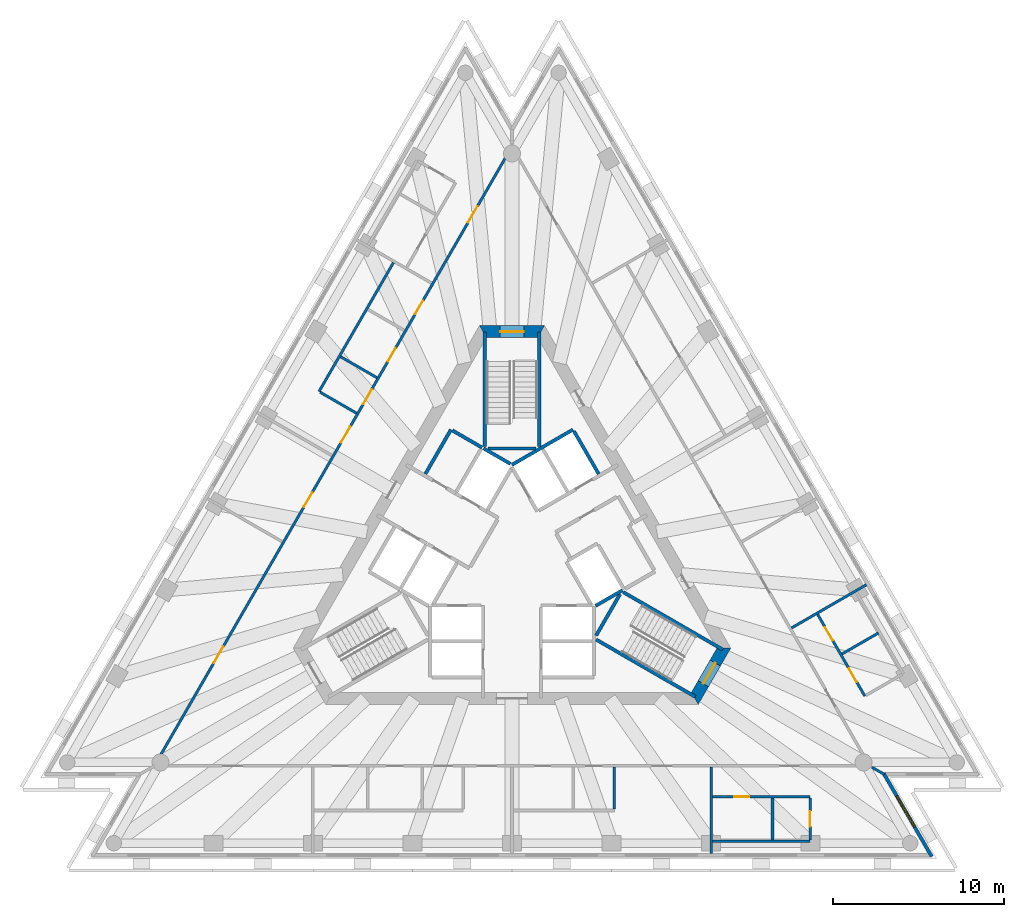
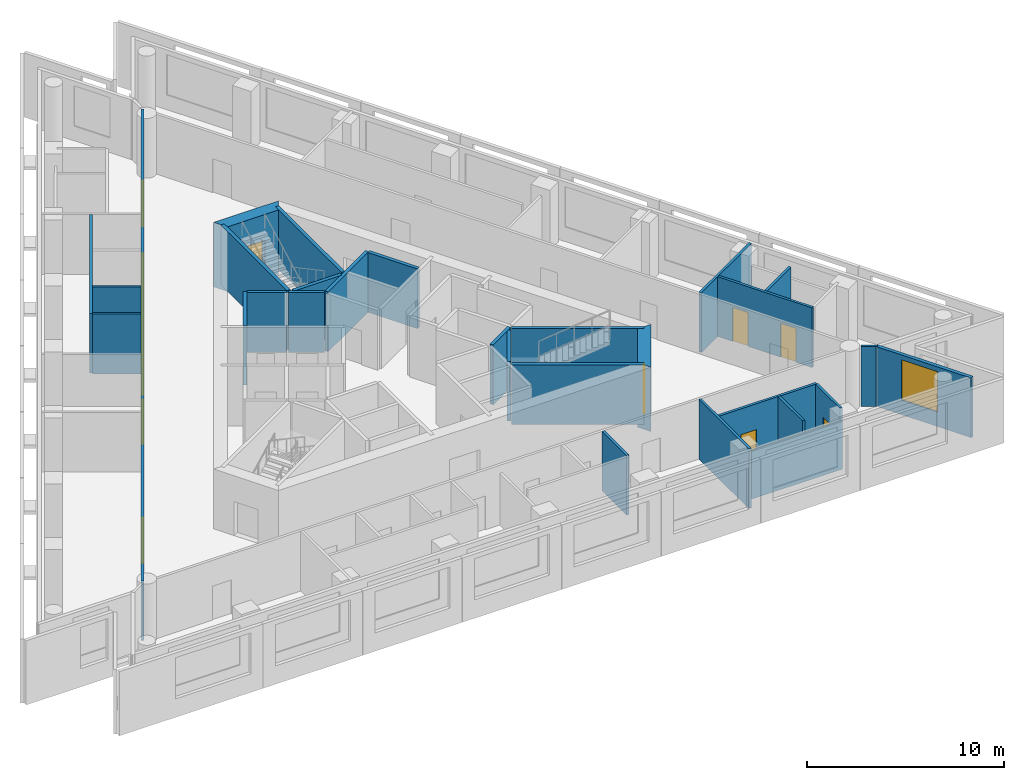
# One storey, part 5 of 10: 29 walls, 13 doors, 1 window, 14 openings.
"""IFC4 building model written with IfcOpenShell, lengths in metres."""

from ifc_helpers import new_model, si_unit, direction, frame, frame_2d, origin, place, context, subcontext, project, spatial, polyline, rectangle, outline, extrude, material, layer, layer_set, layer_usage, type_object, element, fill, save


model = new_model("IFC4")

# Units and contexts
model_context = context("Model", 3, precision=1e-05, world=origin(), true_north=direction((0.0, 1.0)))
body_context = subcontext(model_context, "Body", "Model", "MODEL_VIEW")
ifc_project = project(units=[si_unit("LENGTHUNIT", "METRE"), si_unit("AREAUNIT", "SQUARE_METRE"), si_unit("VOLUMEUNIT", "CUBIC_METRE"), si_unit("PLANEANGLEUNIT", "RADIAN"), si_unit("MASSUNIT", "GRAM", prefix="KILO")], contexts=[model_context])

# Site, building, storey
site_placement = place(None, origin())
site = spatial("IfcSite", under=ifc_project, at=site_placement, CompositionType="ELEMENT")
building_placement = place(site_placement, origin())
building = spatial("IfcBuilding", under=site, at=building_placement, Name="Triada Interchange Tower", CompositionType="ELEMENT")
storey_placement = place(building_placement, frame((0.0, 0.0, 239.300048828125)))
storey = spatial("IfcBuildingStorey", under=building, at=storey_placement, Name="L56", CompositionType="ELEMENT", Elevation=239.300048828125)

# Walls
ifc_material_1 = material(Name="Concrete C30/37", Category="concrete")
ifc_layer_1 = layer(ifc_material_1, 0.199951171875)
ifc_layer_set_1 = layer_set([ifc_layer_1], Name="CORE WALL 200 EI 120")
wall_type_1 = type_object("IfcWallType", Name="CORE WALL 200 EI 120", PredefinedType="SOLIDWALL", material=ifc_layer_set_1)
wall_1_placement = place(storey_placement, frame((-0.001953125, 5.541015625, 0.0), z_axis=(0.0, 0.0, 1.0), x_axis=(0.86600155993, 0.500041296494, 0.0)))
element("IfcWall", 1, at=wall_1_placement, inside=storey, type_object=wall_type_1, Name="Wall L56 51", PredefinedType="SOLIDWALL", context=body_context, shape_type="SweptSolid", body=[
    extrude(rectangle(XDim=4.131591796875, YDim=0.199951171875, at=frame_2d((2.06591796875, 0.0))), origin(), (0.0, 0.0, 1.0), 3.699951171875),
])
wall_2_placement = place(storey_placement, frame((3.6259765625, 7.52001953125, 0.0), z_axis=(0.0, 0.0, 1.0), x_axis=(0.500060147554, -0.865990674793, 0.0)))
element("IfcWall", 2, at=wall_2_placement, inside=storey, type_object=wall_type_1, Name="Wall L56 59", PredefinedType="SOLIDWALL", context=body_context, shape_type="SweptSolid", body=[
    extrude(rectangle(XDim=2.899658203125, YDim=0.199951171875, at=frame_2d((1.44970703125, 0.0))), origin(), (0.0, 0.0, 1.0), 3.699951171875),
])
wall_3_placement = place(storey_placement, frame((4.89990234375, -2.714111328125, 0.0), z_axis=(0.0, 0.0, 1.0), x_axis=(0.865846928409, 0.500309001083, 0.0)))
element("IfcWall", 3, at=wall_3_placement, inside=storey, type_object=wall_type_1, Name="Wall L56 62", PredefinedType="SOLIDWALL", context=body_context, shape_type="SweptSolid", body=[
    extrude(rectangle(XDim=1.813232421875, YDim=0.199951171875, at=frame_2d((0.90673828125, 0.0))), origin(), (0.0, 0.0, 1.0), 3.699951171875),
])
ifc_layer_2 = layer(ifc_material_1, 0.199951171875)
ifc_layer_set_2 = layer_set([ifc_layer_2], Name="CORE WALL 200 EI 180")
wall_type_2 = type_object("IfcWallType", Name="CORE WALL 200 EI 180", PredefinedType="SOLIDWALL", material=ifc_layer_set_2)
wall_4_placement = place(storey_placement, frame((-5.075927734375, 5.009033203125, 0.0), z_axis=(0.0, 0.0, 1.0), x_axis=(0.50002537861, 0.866010750942, 0.0)))
element("IfcWall", 4, at=wall_4_placement, inside=storey, type_object=wall_type_2, Name="Wall L56 70", PredefinedType="SOLIDWALL", context=body_context, shape_type="SweptSolid", body=[
    extrude(rectangle(XDim=2.999755859375, YDim=0.199951171875, at=frame_2d((1.5, 0.0))), origin(), (0.0, 0.0, 1.0), 3.699951171875),
])
wall_5_placement = place(storey_placement, frame((-3.489013671875, 7.556884765625, 0.0), z_axis=(0.0, 0.0, 1.0), x_axis=(0.866010750942, -0.50002537861, 0.0)))
element("IfcWall", 5, at=wall_5_placement, inside=storey, type_object=wall_type_2, Name="Wall L56 71", PredefinedType="SOLIDWALL", context=body_context, shape_type="SweptSolid", body=[
    extrude(rectangle(XDim=2.0, YDim=0.199951171875, at=frame_2d((1.0, 0.0))), origin(), (0.0, 0.0, 1.0), 3.699951171875),
])
wall_6_placement = place(storey_placement, frame((-1.669921875, 6.507080078125, 0.0), z_axis=(0.0, 0.0, 1.0), x_axis=(0.865941441609, -0.500145398563, 0.0)))
element("IfcWall", 6, at=wall_6_placement, inside=storey, type_object=wall_type_2, Name="Shaft wall FF2 L56 79", PredefinedType="SOLIDWALL", context=body_context, shape_type="SweptSolid", body=[
    extrude(rectangle(XDim=1.8154296875, YDim=0.199951171875, at=frame_2d((0.90771484375, 0.0))), origin(), (0.0, 0.0, 1.0), 3.699951171875),
])
ifc_layer_3 = layer(ifc_material_1, 0.199951171875)
ifc_layer_set_3 = layer_set([ifc_layer_3], Name="CORE WALL 200 REI 240")
wall_type_3 = type_object("IfcWallType", Name="CORE WALL 200 REI 240", PredefinedType="SOLIDWALL", material=ifc_layer_set_3)
wall_7_placement = place(storey_placement, frame((1.60009765625, 6.614990234375, 0.0), z_axis=(0.0, 0.0, 1.0), x_axis=(0.0, 1.0, 0.0)))
element("IfcWall", 7, at=wall_7_placement, inside=storey, type_object=wall_type_3, Name="Wall L56 87", PredefinedType="SOLIDWALL", context=body_context, shape_type="SweptSolid", body=[
    extrude(rectangle(XDim=6.715087890625, YDim=0.199951171875, at=frame_2d((3.357421875, 0.0))), origin(), (0.0, 0.0, 1.0), 3.699951171875),
])
wall_8_placement = place(storey_placement, frame((-1.39990234375, 6.5, 0.0), z_axis=(0.0, 0.0, 1.0), x_axis=(1.0, 0.0, 0.0)))
element("IfcWall", 8, at=wall_8_placement, inside=storey, type_object=wall_type_3, Name="Wall L56 88", PredefinedType="SOLIDWALL", context=body_context, shape_type="SweptSolid", body=[
    extrude(rectangle(XDim=2.7998046875, YDim=0.199951171875, at=frame_2d((1.39990234375, 0.0))), origin(), (0.0, 0.0, 1.0), 3.699951171875),
])
wall_9_placement = place(storey_placement, frame((-1.60009765625, 6.614990234375, 0.0), z_axis=(0.0, 0.0, 1.0), x_axis=(0.0, 1.0, 0.0)))
element("IfcWall", 9, at=wall_9_placement, inside=storey, type_object=wall_type_3, Name="Wall L56 89", PredefinedType="SOLIDWALL", context=body_context, shape_type="SweptSolid", body=[
    extrude(rectangle(XDim=6.715087890625, YDim=0.199951171875, at=frame_2d((3.357421875, 0.0))), origin(), (0.0, 0.0, 1.0), 3.699951171875),
])
wall_10_placement = place(storey_placement, frame((4.928955078125, -4.693115234375, 0.0), z_axis=(0.0, 0.0, 1.0), x_axis=(0.865983344943, -0.500072840975, 0.0)))
element("IfcWall", 10, at=wall_10_placement, inside=storey, type_object=wall_type_3, Name="Wall L56 90", PredefinedType="SOLIDWALL", context=body_context, shape_type="SweptSolid", body=[
    extrude(rectangle(XDim=6.71484375, YDim=0.199951171875, at=frame_2d((3.357421875, 0.0))), origin(), (0.0, 0.0, 1.0), 3.699951171875),
])
wall_11_placement = place(storey_placement, frame((4.928955078125, -4.4619140625, 0.0), z_axis=(0.0, 0.0, 1.0), x_axis=(0.500200581029, 0.865909567298, 0.0)))
element("IfcWall", 11, at=wall_11_placement, inside=storey, type_object=wall_type_3, Name="Wall L56 91", PredefinedType="SOLIDWALL", context=body_context, shape_type="SweptSolid", body=[
    extrude(rectangle(XDim=2.799072265625, YDim=0.199951171875, at=frame_2d((1.3994140625, 0.0))), origin(), (0.0, 0.0, 1.0), 3.699951171875),
])
wall_12_placement = place(storey_placement, frame((6.529052734375, -1.922119140625, 0.0), z_axis=(0.0, 0.0, 1.0), x_axis=(0.866046323291, -0.499963764601, 0.0)))
element("IfcWall", 12, at=wall_12_placement, inside=storey, type_object=wall_type_3, Name="Wall L56 92", PredefinedType="SOLIDWALL", context=body_context, shape_type="SweptSolid", body=[
    extrude(rectangle(XDim=6.71435546875, YDim=0.199951171875, at=frame_2d((3.357177734375, 0.0))), origin(), (0.0, 0.0, 1.0), 3.699951171875),
])

# Wall, opening, door
ifc_material_2 = material(Name="Concrete C50/60", Category="concrete")
ifc_layer_4 = layer(ifc_material_2, 0.699951171875)
ifc_layer_set_4 = layer_set([ifc_layer_4], Name="Core wall C 700")
wall_type_4 = type_object("IfcWallType", Name="Core wall C 700", PredefinedType="SHEAR", material=ifc_layer_set_4)
wall_13_placement = place(storey_placement, frame((1.702880859375, 13.35009765625, -0.300048828125), z_axis=(0.0, 0.0, 1.0), x_axis=(-1.0, 0.0, 0.0)))
wall_13 = element("IfcWall", 13, at=wall_13_placement, inside=storey, type_object=wall_type_4, Name="Core wall WC01 L56", PredefinedType="SHEAR", context=body_context, shape_type="SweptSolid", body=[
    extrude(outline(polyline([(-0.201904296875, -0.35009765625), (1.703125, -0.35009765625), (3.60791015625, -0.35009765625), (3.2041015625, 0.35009765625), (1.703125, 0.35009765625), (0.201904296875, 0.35009765625), (-0.201904296875, -0.35009765625)])), origin(), (0.0, 0.0, 1.0), 4.0),
])
opening_1_placement = place(wall_13_placement, frame((1.0029296875, 0.0, 0.300048828125)))
opening_1 = element("IfcOpeningElement", 14, at=opening_1_placement, cuts=wall_13, Name="Opening D56-40", PredefinedType="OPENING", context=body_context, shape_type="SweptSolid", body=[
    extrude(rectangle(XDim=1.39990234375, YDim=2.10009765625, at=frame_2d((0.699951171875, 1.050048828125))), frame((0.0, 0.360107421875, 0.0), z_axis=(0.0, -1.0, 0.0), x_axis=(1.0, 0.0, 0.0)), (0.0, 0.0, 1.0), 0.72021484375),
])
ifc_material_3 = material(Name="Steel S235 door leaf", Category="steel")
door_type_1 = type_object("IfcDoorType", Name="STAIR DOOR 1400 EI2 90-C5S200", OperationType="DOUBLE_DOOR_SINGLE_SWING", PredefinedType="DOOR", material=ifc_material_3)
door_1_placement = place(opening_1_placement, origin())
door_1 = element("IfcDoor", 15, at=door_1_placement, inside=storey, type_object=door_type_1, Name="Door D56-40 L56", OperationType="DOUBLE_DOOR_SINGLE_SWING", OverallHeight=2.10009765625, OverallWidth=1.39990234375, PredefinedType="DOOR", context=body_context, shape_type="SweptSolid", body=[
    extrude(rectangle(XDim=1.39990234375, YDim=2.10009765625, at=frame_2d((0.699951171875, 1.050048828125))), frame((0.0, 0.02490234375, 0.0), z_axis=(0.0, -1.0, 0.0), x_axis=(1.0, 0.0, 0.0)), (0.0, 0.0, 1.0), 0.050048828125),
])
fill(opening_1, door_1)

wall_14_placement = place(storey_placement, frame((10.7099609375, -8.14990234375, -0.300048828125), z_axis=(0.0, 0.0, 1.0), x_axis=(0.49999337185, 0.866029230515, 0.0)))
wall_14 = element("IfcWall", 16, at=wall_14_placement, inside=storey, type_object=wall_type_4, Name="Core wall WC05 L56", PredefinedType="SHEAR", context=body_context, shape_type="SweptSolid", body=[
    extrude(outline(polyline([(-0.201904296875, -0.35009765625), (1.703125, -0.35009765625), (3.60791015625, -0.35009765625), (3.2041015625, 0.35009765625), (1.703125, 0.35009765625), (0.201904296875, 0.35009765625), (-0.201904296875, -0.35009765625)])), origin(), (0.0, 0.0, 1.0), 4.0),
])
opening_2_placement = place(wall_14_placement, frame((1.0029296875, 0.0, 0.300048828125)))
opening_2 = element("IfcOpeningElement", 17, at=opening_2_placement, cuts=wall_14, Name="Opening D56-42", PredefinedType="OPENING", context=body_context, shape_type="SweptSolid", body=[
    extrude(rectangle(XDim=1.39990234375, YDim=2.10009765625, at=frame_2d((0.699951171875, 1.050048828125))), frame((0.0, 0.360107421875, 0.0), z_axis=(0.0, -1.0, 0.0), x_axis=(1.0, 0.0, 0.0)), (0.0, 0.0, 1.0), 0.72021484375),
])
door_2_placement = place(opening_2_placement, origin())
door_2 = element("IfcDoor", 18, at=door_2_placement, inside=storey, type_object=door_type_1, Name="Door D56-42 L56", OperationType="DOUBLE_DOOR_SINGLE_SWING", OverallHeight=2.10009765625, OverallWidth=1.39990234375, PredefinedType="DOOR", context=body_context, shape_type="SweptSolid", body=[
    extrude(rectangle(XDim=1.39990234375, YDim=2.10009765625, at=frame_2d((0.699951171875, 1.050048828125))), frame((0.0, 0.02490234375, 0.0), z_axis=(0.0, -1.0, 0.0), x_axis=(1.0, 0.0, 0.0)), (0.0, 0.0, 1.0), 0.050048828125),
])
fill(opening_2, door_2)

# Wall, opening, window
ifc_material_4 = material(Name="Cement board")
ifc_layer_5 = layer(ifc_material_4, 0.02001953125, Name="Cement board cladding")
ifc_material_5 = material(Name="Sheathing board")
ifc_layer_6 = layer(ifc_material_5, 0.014892578125, Name="Sheathing board")
ifc_material_6 = material(Name="Mineral wool")
ifc_layer_7 = layer(ifc_material_6, 0.14990234375, Name="Mineral wool between steel studs")
ifc_material_7 = material(Name="Gypsum board")
ifc_layer_8 = layer(ifc_material_7, 0.014892578125, Name="Plasterboard lining")
ifc_layer_set_5 = layer_set([ifc_layer_5, ifc_layer_6, ifc_layer_7, ifc_layer_8], Name="External wall 200")
ifc_layer_usage = layer_usage(ifc_layer_set_5, "AXIS2", "POSITIVE", -0.10009765625)
wall_type_5 = type_object("IfcWallType", Name="External wall 200", PredefinedType="ELEMENTEDWALL", material=ifc_layer_set_5)
wall_15_placement = place(storey_placement, frame((24.587890625, -17.402099609375, 0.0), z_axis=(0.0, 0.0, 1.0), x_axis=(-0.500033107516, 0.866006288307, 0.0)))
wall_15 = element("IfcWall", 19, at=wall_15_placement, inside=storey, type_object=wall_type_5, material=ifc_layer_usage, Name="External wall L56 SE-1", PredefinedType="ELEMENTEDWALL", context=body_context, shape_type="SweptSolid", body=[
    extrude(rectangle(XDim=5.62353515625, YDim=0.199951171875, at=frame_2d((2.811767578125, 0.0))), origin(), (0.0, 0.0, 1.0), 3.699951171875),
])
opening_3_placement = place(wall_15_placement, frame((1.989990234375, 0.0, 0.89990234375)))
opening_3 = element("IfcOpeningElement", 20, at=opening_3_placement, cuts=wall_15, Name="Opening WC19", PredefinedType="OPENING", context=body_context, shape_type="SweptSolid", body=[
    extrude(rectangle(XDim=2.10009765625, YDim=2.5, at=frame_2d((1.050048828125, 1.25))), frame((0.0, 0.10986328125, 0.0), z_axis=(0.0, -1.0, 0.0), x_axis=(1.0, 0.0, 0.0)), (0.0, 0.0, 1.0), 0.219970703125),
])
ifc_material_8 = material(Name="Double glazed aluminium window", Category="aluminium")
window_type = type_object("IfcWindowType", Name="Ribbon window C pocket", PartitioningType="SINGLE_PANEL", PredefinedType="WINDOW", material=ifc_material_8)
window_placement = place(opening_3_placement, origin())
window = element("IfcWindow", 21, at=window_placement, inside=storey, type_object=window_type, Name="Window L56 SE-1 1", OverallHeight=2.5, OverallWidth=2.10009765625, PartitioningType="SINGLE_PANEL", PredefinedType="WINDOW", context=body_context, shape_type="SweptSolid", body=[
    extrude(rectangle(XDim=2.10009765625, YDim=2.5, at=frame_2d((1.050048828125, 1.25))), frame((0.0, 0.030029296875, 0.0), z_axis=(0.0, -1.0, 0.0), x_axis=(1.0, 0.0, 0.0)), (0.0, 0.0, 1.0), 0.06005859375),
])
fill(opening_3, window)

# Wall, openings, doors
ifc_material_9 = material(Name="Gypsum board partition")
ifc_layer_9 = layer(ifc_material_9, 0.14990234375)
ifc_layer_set_6 = layer_set([ifc_layer_9], Name="PARTITION 150 EI 180")
wall_type_6 = type_object("IfcWallType", Name="PARTITION 150 EI 180", PredefinedType="PARTITIONING", material=ifc_layer_set_6)
wall_16_placement = place(storey_placement, frame((-20.883056640625, -11.969970703125, 0.0), z_axis=(0.0, 0.0, 1.0), x_axis=(0.500006150555, 0.866021852731, 0.0)))
wall_16 = element("IfcWall", 22, at=wall_16_placement, inside=storey, type_object=wall_type_6, Name="Wall L56 4", PredefinedType="PARTITIONING", context=body_context, shape_type="SweptSolid", body=[
    extrude(rectangle(XDim=41.765625, YDim=0.14990234375, at=frame_2d((20.8828125, 0.0))), origin(), (0.0, 0.0, 1.0), 3.699951171875),
])
opening_4_placement = place(wall_16_placement, frame((36.615966796875, 0.0, 0.0)))
opening_4 = element("IfcOpeningElement", 23, at=opening_4_placement, cuts=wall_16, Name="Opening D56-30", PredefinedType="OPENING", context=body_context, shape_type="SweptSolid", body=[
    extrude(rectangle(XDim=1.10009765625, YDim=2.10009765625, at=frame_2d((0.550048828125, 1.050048828125))), frame((0.0, 0.0849609375, 0.0), z_axis=(0.0, -1.0, 0.0), x_axis=(1.0, 0.0, 0.0)), (0.0, 0.0, 1.0), 0.169921875),
])
opening_5_placement = place(wall_16_placement, frame((21.722900390625, 0.0, 0.0)))
opening_5 = element("IfcOpeningElement", 24, at=opening_5_placement, cuts=wall_16, Name="Opening D56-33", PredefinedType="OPENING", context=body_context, shape_type="SweptSolid", body=[
    extrude(rectangle(XDim=1.10009765625, YDim=2.10009765625, at=frame_2d((0.550048828125, 1.050048828125))), frame((0.0, 0.0849609375, 0.0), z_axis=(0.0, -1.0, 0.0), x_axis=(1.0, 0.0, 0.0)), (0.0, 0.0, 1.0), 0.169921875),
])
opening_6_placement = place(wall_16_placement, frame((30.423095703125, 0.0, 0.0)))
opening_6 = element("IfcOpeningElement", 25, at=opening_6_placement, cuts=wall_16, Name="Opening D56-34", PredefinedType="OPENING", context=body_context, shape_type="SweptSolid", body=[
    extrude(rectangle(XDim=0.89990234375, YDim=2.10009765625, at=frame_2d((0.449951171875, 1.050048828125))), frame((0.0, 0.0849609375, 0.0), z_axis=(0.0, -1.0, 0.0), x_axis=(1.0, 0.0, 0.0)), (0.0, 0.0, 1.0), 0.169921875),
])
opening_7_placement = place(wall_16_placement, frame((27.222900390625, 0.0, 0.0)))
opening_7 = element("IfcOpeningElement", 26, at=opening_7_placement, cuts=wall_16, Name="Opening D56-35", PredefinedType="OPENING", context=body_context, shape_type="SweptSolid", body=[
    extrude(rectangle(XDim=0.89990234375, YDim=2.10009765625, at=frame_2d((0.449951171875, 1.050048828125))), frame((0.0, 0.0849609375, 0.0), z_axis=(0.0, -1.0, 0.0), x_axis=(1.0, 0.0, 0.0)), (0.0, 0.0, 1.0), 0.169921875),
])
opening_8_placement = place(wall_16_placement, frame((24.322998046875, 0.0, 0.0)))
opening_8 = element("IfcOpeningElement", 27, at=opening_8_placement, cuts=wall_16, Name="Opening D56-36", PredefinedType="OPENING", context=body_context, shape_type="SweptSolid", body=[
    extrude(rectangle(XDim=1.0, YDim=2.10009765625, at=frame_2d((0.5, 1.050048828125))), frame((0.0, 0.0849609375, 0.0), z_axis=(0.0, -1.0, 0.0), x_axis=(1.0, 0.0, 0.0)), (0.0, 0.0, 1.0), 0.169921875),
])
opening_9_placement = place(wall_16_placement, frame((17.35791015625, 0.0, 0.0)))
opening_9 = element("IfcOpeningElement", 28, at=opening_9_placement, cuts=wall_16, Name="Opening D56-37", PredefinedType="OPENING", context=body_context, shape_type="SweptSolid", body=[
    extrude(rectangle(XDim=1.0, YDim=2.10009765625, at=frame_2d((0.5, 1.050048828125))), frame((0.0, 0.0849609375, 0.0), z_axis=(0.0, -1.0, 0.0), x_axis=(1.0, 0.0, 0.0)), (0.0, 0.0, 1.0), 0.169921875),
])
opening_10_placement = place(wall_16_placement, frame((6.824951171875, 0.0, 0.0)))
opening_10 = element("IfcOpeningElement", 29, at=opening_10_placement, cuts=wall_16, Name="Opening D56-38", PredefinedType="OPENING", context=body_context, shape_type="SweptSolid", body=[
    extrude(rectangle(XDim=1.10009765625, YDim=2.10009765625, at=frame_2d((0.550048828125, 1.050048828125))), frame((0.0, 0.0849609375, 0.0), z_axis=(0.0, -1.0, 0.0), x_axis=(1.0, 0.0, 0.0)), (0.0, 0.0, 1.0), 0.169921875),
])
door_type_2 = type_object("IfcDoorType", Name="ROOM DOOR 1000 EI2 90-C5S200", OperationType="NOTDEFINED", PredefinedType="DOOR", material=ifc_material_3)
door_3_placement = place(opening_8_placement, origin())
door_3 = element("IfcDoor", 30, at=door_3_placement, inside=storey, type_object=door_type_2, Name="Door D56-36 L56", OperationType="SINGLE_SWING_RIGHT", OverallHeight=2.10009765625, OverallWidth=1.0, PredefinedType="DOOR", context=body_context, shape_type="SweptSolid", body=[
    extrude(rectangle(XDim=1.0, YDim=2.10009765625, at=frame_2d((0.5, 1.050048828125))), frame((0.0, 0.02490234375, 0.0), z_axis=(0.0, -1.0, 0.0), x_axis=(1.0, 0.0, 0.0)), (0.0, 0.0, 1.0), 0.050048828125),
])
fill(opening_8, door_3)
door_4_placement = place(opening_9_placement, origin())
door_4 = element("IfcDoor", 31, at=door_4_placement, inside=storey, type_object=door_type_2, Name="Door D56-37 L56", OperationType="SINGLE_SWING_RIGHT", OverallHeight=2.10009765625, OverallWidth=1.0, PredefinedType="DOOR", context=body_context, shape_type="SweptSolid", body=[
    extrude(rectangle(XDim=1.0, YDim=2.10009765625, at=frame_2d((0.5, 1.050048828125))), frame((0.0, 0.02490234375, 0.0), z_axis=(0.0, -1.0, 0.0), x_axis=(1.0, 0.0, 0.0)), (0.0, 0.0, 1.0), 0.050048828125),
])
fill(opening_9, door_4)
door_type_3 = type_object("IfcDoorType", Name="ROOM DOOR 900 EI2 90-C5S200", OperationType="NOTDEFINED", PredefinedType="DOOR", material=ifc_material_3)
door_5_placement = place(opening_6_placement, origin())
door_5 = element("IfcDoor", 32, at=door_5_placement, inside=storey, type_object=door_type_3, Name="Door D56-34 L56", OperationType="SINGLE_SWING_LEFT", OverallHeight=2.10009765625, OverallWidth=0.89990234375, PredefinedType="DOOR", context=body_context, shape_type="SweptSolid", body=[
    extrude(rectangle(XDim=0.89990234375, YDim=2.10009765625, at=frame_2d((0.449951171875, 1.050048828125))), frame((0.0, 0.02490234375, 0.0), z_axis=(0.0, -1.0, 0.0), x_axis=(1.0, 0.0, 0.0)), (0.0, 0.0, 1.0), 0.050048828125),
])
fill(opening_6, door_5)
door_6_placement = place(opening_7_placement, origin())
door_6 = element("IfcDoor", 33, at=door_6_placement, inside=storey, type_object=door_type_3, Name="Door D56-35 L56", OperationType="SINGLE_SWING_LEFT", OverallHeight=2.10009765625, OverallWidth=0.89990234375, PredefinedType="DOOR", context=body_context, shape_type="SweptSolid", body=[
    extrude(rectangle(XDim=0.89990234375, YDim=2.10009765625, at=frame_2d((0.449951171875, 1.050048828125))), frame((0.0, 0.02490234375, 0.0), z_axis=(0.0, -1.0, 0.0), x_axis=(1.0, 0.0, 0.0)), (0.0, 0.0, 1.0), 0.050048828125),
])
fill(opening_7, door_6)
door_type_4 = type_object("IfcDoorType", Name="TENANCY ENTRANCE DOOR 1100 EI2 90-C5S200", OperationType="NOTDEFINED", PredefinedType="DOOR", material=ifc_material_3)
door_7_placement = place(opening_4_placement, origin())
door_7 = element("IfcDoor", 34, at=door_7_placement, inside=storey, type_object=door_type_4, Name="Door D56-30 L56", OperationType="SINGLE_SWING_RIGHT", OverallHeight=2.10009765625, OverallWidth=1.10009765625, PredefinedType="DOOR", context=body_context, shape_type="SweptSolid", body=[
    extrude(rectangle(XDim=1.10009765625, YDim=2.10009765625, at=frame_2d((0.550048828125, 1.050048828125))), frame((0.0, 0.02490234375, 0.0), z_axis=(0.0, -1.0, 0.0), x_axis=(1.0, 0.0, 0.0)), (0.0, 0.0, 1.0), 0.050048828125),
])
fill(opening_4, door_7)
door_8_placement = place(opening_5_placement, origin())
door_8 = element("IfcDoor", 35, at=door_8_placement, inside=storey, type_object=door_type_4, Name="Door D56-33 L56", OperationType="SINGLE_SWING_LEFT", OverallHeight=2.10009765625, OverallWidth=1.10009765625, PredefinedType="DOOR", context=body_context, shape_type="SweptSolid", body=[
    extrude(rectangle(XDim=1.10009765625, YDim=2.10009765625, at=frame_2d((0.550048828125, 1.050048828125))), frame((0.0, 0.02490234375, 0.0), z_axis=(0.0, -1.0, 0.0), x_axis=(1.0, 0.0, 0.0)), (0.0, 0.0, 1.0), 0.050048828125),
])
fill(opening_5, door_8)
door_9_placement = place(opening_10_placement, origin())
door_9 = element("IfcDoor", 36, at=door_9_placement, inside=storey, type_object=door_type_4, Name="Door D56-38 L56", OperationType="SINGLE_SWING_LEFT", OverallHeight=2.10009765625, OverallWidth=1.10009765625, PredefinedType="DOOR", context=body_context, shape_type="SweptSolid", body=[
    extrude(rectangle(XDim=1.10009765625, YDim=2.10009765625, at=frame_2d((0.550048828125, 1.050048828125))), frame((0.0, 0.02490234375, 0.0), z_axis=(0.0, -1.0, 0.0), x_axis=(1.0, 0.0, 0.0)), (0.0, 0.0, 1.0), 0.050048828125),
])
fill(opening_10, door_9)

# Walls
wall_17_placement = place(storey_placement, frame((21.0869140625, -12.175048828125, 0.0), z_axis=(0.0, 0.0, 1.0), x_axis=(0.866078617559, -0.49990781971, 0.0)))
element("IfcWall", 37, at=wall_17_placement, inside=storey, type_object=wall_type_6, Name="Wall L56 7", PredefinedType="PARTITIONING", context=body_context, shape_type="SweptSolid", body=[
    extrude(rectangle(XDim=0.836181640625, YDim=0.14990234375, at=frame_2d((0.41796875, 0.0))), origin(), (0.0, 0.0, 1.0), 3.699951171875),
])
wall_18_placement = place(storey_placement, frame((-11.30810546875, 9.8369140625, 0.0), z_axis=(0.0, 0.0, 1.0), x_axis=(0.499958218515, 0.866049524992, 0.0)))
element("IfcWall", 38, at=wall_18_placement, inside=storey, type_object=wall_type_6, Name="Wall L56 11", PredefinedType="PARTITIONING", context=body_context, shape_type="SweptSolid", body=[
    extrude(rectangle(XDim=8.724853515625, YDim=0.14990234375, at=frame_2d((4.3623046875, 0.0))), origin(), (0.0, 0.0, 1.0), 3.699951171875),
])
for number, where, z_axis, x_axis, name in (
    (39, (-11.243896484375, 9.800048828125, 0.0), (0.0, 0.0, 1.0), (0.866099746043, -0.499871213318, 0.0), "Wall L56 12"),
    (40, (-10.0439453125, 11.8779296875, 0.0), (0.0, 0.0, 1.0), (0.86612451545, -0.499828294254, 0.0), "Wall L56 13"),
):
    element("IfcWall", number, at=place(storey_placement, frame(where, z_axis=z_axis, x_axis=x_axis)), inside=storey, type_object=wall_type_6, Name=name, PredefinedType="PARTITIONING", context=body_context, shape_type="SweptSolid", body=[
        extrude(rectangle(XDim=2.462646484375, YDim=0.14990234375, at=frame_2d((1.2314453125, 0.0))), origin(), (0.0, 0.0, 1.0), 3.699951171875),
    ])
wall_19_placement = place(storey_placement, frame((6.0, -14.636962890625, 0.0), z_axis=(0.0, 0.0, 1.0), x_axis=(0.0, 1.0, 0.0)))
element("IfcWall", 41, at=wall_19_placement, inside=storey, type_object=wall_type_6, Name="Wall L56 22", PredefinedType="PARTITIONING", context=body_context, shape_type="SweptSolid", body=[
    extrude(rectangle(XDim=2.4619140625, YDim=0.14990234375, at=frame_2d((1.23095703125, 0.0))), origin(), (0.0, 0.0, 1.0), 3.699951171875),
])
wall_20_placement = place(storey_placement, frame((11.6650390625, -17.243896484375, 0.0), z_axis=(0.0, 0.0, 1.0), x_axis=(0.0, 1.0, 0.0)))
element("IfcWall", 42, at=wall_20_placement, inside=storey, type_object=wall_type_6, Name="Wall L56 25", PredefinedType="PARTITIONING", context=body_context, shape_type="SweptSolid", body=[
    extrude(rectangle(XDim=5.06884765625, YDim=0.14990234375, at=frame_2d((2.534423828125, 0.0))), origin(), (0.0, 0.0, 1.0), 3.699951171875),
])
wall_21_placement = place(storey_placement, frame((16.376953125, -4.01611328125, 0.0), z_axis=(0.0, 0.0, 1.0), x_axis=(0.86598187042, 0.500075394419, 0.0)))
element("IfcWall", 43, at=wall_21_placement, inside=storey, type_object=wall_type_6, Name="Wall L56 27", PredefinedType="PARTITIONING", context=body_context, shape_type="SweptSolid", body=[
    extrude(rectangle(XDim=5.069580078125, YDim=0.14990234375, at=frame_2d((2.53466796875, 0.0))), origin(), (0.0, 0.0, 1.0), 3.699951171875),
])
ifc_layer_10 = layer(ifc_material_9, 0.14990234375)
ifc_layer_set_7 = layer_set([ifc_layer_10], Name="PARTITION 150 EI 90")
wall_type_7 = type_object("IfcWallType", Name="PARTITION 150 EI 90", PredefinedType="PARTITIONING", material=ifc_layer_set_7)
wall_22_placement = place(storey_placement, frame((11.739990234375, -16.511962890625, 0.0), z_axis=(0.0, 0.0, 1.0), x_axis=(1.0, 0.0, 0.0)))
element("IfcWall", 44, at=wall_22_placement, inside=storey, type_object=wall_type_7, Name="Wall L56 33", PredefinedType="PARTITIONING", context=body_context, shape_type="SweptSolid", body=[
    extrude(rectangle(XDim=5.72509765625, YDim=0.14990234375, at=frame_2d((2.862548828125, 0.0))), origin(), (0.0, 0.0, 1.0), 2.949951171875),
])

# Wall, opening, door
wall_23_placement = place(storey_placement, frame((11.739990234375, -13.89990234375, 0.0), z_axis=(0.0, 0.0, 1.0), x_axis=(1.0, 0.0, 0.0)))
wall_23 = element("IfcWall", 45, at=wall_23_placement, inside=storey, type_object=wall_type_7, Name="Wall L56 34", PredefinedType="PARTITIONING", context=body_context, shape_type="SweptSolid", body=[
    extrude(rectangle(XDim=5.72509765625, YDim=0.14990234375, at=frame_2d((2.862548828125, 0.0))), origin(), (0.0, 0.0, 1.0), 3.699951171875),
])
opening_11_placement = place(wall_23_placement, frame((1.27490234375, 0.0, 0.0)))
opening_11 = element("IfcOpeningElement", 46, at=opening_11_placement, cuts=wall_23, Name="Opening D56-20", PredefinedType="OPENING", context=body_context, shape_type="SweptSolid", body=[
    extrude(rectangle(XDim=0.89990234375, YDim=2.10009765625, at=frame_2d((0.449951171875, 1.050048828125))), frame((0.0, 0.0849609375, 0.0), z_axis=(0.0, -1.0, 0.0), x_axis=(1.0, 0.0, 0.0)), (0.0, 0.0, 1.0), 0.169921875),
])
door_type_5 = type_object("IfcDoorType", Name="ROOM DOOR 900 EI2 45-C5S200", OperationType="NOTDEFINED", PredefinedType="DOOR", material=ifc_material_3)
door_10_placement = place(opening_11_placement, origin())
door_10 = element("IfcDoor", 47, at=door_10_placement, inside=storey, type_object=door_type_5, Name="Door D56-20 L56", OperationType="SINGLE_SWING_RIGHT", OverallHeight=2.10009765625, OverallWidth=0.89990234375, PredefinedType="DOOR", context=body_context, shape_type="SweptSolid", body=[
    extrude(rectangle(XDim=0.89990234375, YDim=2.10009765625, at=frame_2d((0.449951171875, 1.050048828125))), frame((0.0, 0.02490234375, 0.0), z_axis=(0.0, -1.0, 0.0), x_axis=(1.0, 0.0, 0.0)), (0.0, 0.0, 1.0), 0.050048828125),
])
fill(opening_11, door_10)

wall_24_placement = place(storey_placement, frame((17.465087890625, -16.43701171875, 0.0), z_axis=(0.0, 0.0, 1.0), x_axis=(0.0, 1.0, 0.0)))
wall_24 = element("IfcWall", 48, at=wall_24_placement, inside=storey, type_object=wall_type_7, Name="Wall L56 35", PredefinedType="PARTITIONING", context=body_context, shape_type="SweptSolid", body=[
    extrude(rectangle(XDim=2.4619140625, YDim=0.14990234375, at=frame_2d((1.23095703125, 0.0))), origin(), (0.0, 0.0, 1.0), 3.699951171875),
])
opening_12_placement = place(wall_24_placement, frame((0.787109375, 0.0, 0.0)))
opening_12 = element("IfcOpeningElement", 49, at=opening_12_placement, cuts=wall_24, Name="Opening D56-21", PredefinedType="OPENING", context=body_context, shape_type="SweptSolid", body=[
    extrude(rectangle(XDim=0.89990234375, YDim=2.10009765625, at=frame_2d((0.449951171875, 1.050048828125))), frame((0.0, 0.0849609375, 0.0), z_axis=(0.0, -1.0, 0.0), x_axis=(1.0, 0.0, 0.0)), (0.0, 0.0, 1.0), 0.169921875),
])
door_type_6 = type_object("IfcDoorType", Name="SERVICE DOOR 900 EI2 45-C5S200", OperationType="NOTDEFINED", PredefinedType="DOOR", material=ifc_material_3)
door_11_placement = place(opening_12_placement, origin())
door_11 = element("IfcDoor", 50, at=door_11_placement, inside=storey, type_object=door_type_6, Name="Door D56-21 L56", OperationType="SINGLE_SWING_LEFT", OverallHeight=2.10009765625, OverallWidth=0.89990234375, PredefinedType="DOOR", context=body_context, shape_type="SweptSolid", body=[
    extrude(rectangle(XDim=0.89990234375, YDim=2.10009765625, at=frame_2d((0.449951171875, 1.050048828125))), frame((0.0, 0.02490234375, 0.0), z_axis=(0.0, -1.0, 0.0), x_axis=(1.0, 0.0, 0.0)), (0.0, 0.0, 1.0), 0.050048828125),
])
fill(opening_12, door_11)

# Walls
for number, where, z_axis, x_axis, name in (
    (51, (15.264892578125, -16.43701171875, 0.0), (0.0, 0.0, 1.0), (0.0, 1.0, 0.0), "Wall L56 36"),
    (52, (19.3359375, -5.5400390625, 0.0), (0.0, 0.0, 1.0), (0.866025399526, 0.500000007376, 0.0), "Wall L56 37"),
):
    element("IfcWall", number, at=place(storey_placement, frame(where, z_axis=z_axis, x_axis=x_axis)), inside=storey, type_object=wall_type_7, Name=name, PredefinedType="PARTITIONING", context=body_context, shape_type="SweptSolid", body=[
        extrude(rectangle(XDim=2.4619140625, YDim=0.14990234375, at=frame_2d((1.23095703125, 0.0))), origin(), (0.0, 0.0, 1.0), 3.699951171875),
    ])

# Wall, openings, doors
wall_25_placement = place(storey_placement, frame((17.907958984375, -3.218017578125, 0.0), z_axis=(0.0, 0.0, 1.0), x_axis=(0.500050108258, -0.865996471835, 0.0)))
wall_25 = element("IfcWall", 53, at=wall_25_placement, inside=storey, type_object=wall_type_7, Name="Wall L56 39", PredefinedType="PARTITIONING", context=body_context, shape_type="SweptSolid", body=[
    extrude(rectangle(XDim=5.525390625, YDim=0.14990234375, at=frame_2d((2.7626953125, 0.0))), origin(), (0.0, 0.0, 1.0), 3.699951171875),
])
opening_13_placement = place(wall_25_placement, frame((0.875, 0.0, 0.0)))
opening_13 = element("IfcOpeningElement", 54, at=opening_13_placement, cuts=wall_25, Name="Opening D56-23", PredefinedType="OPENING", context=body_context, shape_type="SweptSolid", body=[
    extrude(rectangle(XDim=0.89990234375, YDim=2.10009765625, at=frame_2d((0.449951171875, 1.050048828125))), frame((0.0, 0.0849609375, 0.0), z_axis=(0.0, -1.0, 0.0), x_axis=(1.0, 0.0, 0.0)), (0.0, 0.0, 1.0), 0.169921875),
])
opening_14_placement = place(wall_25_placement, frame((3.675048828125, 0.0, 0.0)))
opening_14 = element("IfcOpeningElement", 55, at=opening_14_placement, cuts=wall_25, Name="Opening D56-24", PredefinedType="OPENING", context=body_context, shape_type="SweptSolid", body=[
    extrude(rectangle(XDim=0.89990234375, YDim=2.10009765625, at=frame_2d((0.449951171875, 1.050048828125))), frame((0.0, 0.0849609375, 0.0), z_axis=(0.0, -1.0, 0.0), x_axis=(1.0, 0.0, 0.0)), (0.0, 0.0, 1.0), 0.169921875),
])
door_12_placement = place(opening_13_placement, origin())
door_12 = element("IfcDoor", 56, at=door_12_placement, inside=storey, type_object=door_type_5, Name="Door D56-23 L56", OperationType="SINGLE_SWING_LEFT", OverallHeight=2.10009765625, OverallWidth=0.89990234375, PredefinedType="DOOR", context=body_context, shape_type="SweptSolid", body=[
    extrude(rectangle(XDim=0.89990234375, YDim=2.10009765625, at=frame_2d((0.449951171875, 1.050048828125))), frame((0.0, 0.02490234375, 0.0), z_axis=(0.0, -1.0, 0.0), x_axis=(1.0, 0.0, 0.0)), (0.0, 0.0, 1.0), 0.050048828125),
])
fill(opening_13, door_12)
door_13_placement = place(opening_14_placement, origin())
door_13 = element("IfcDoor", 57, at=door_13_placement, inside=storey, type_object=door_type_5, Name="Door D56-24 L56", OperationType="SINGLE_SWING_LEFT", OverallHeight=2.10009765625, OverallWidth=0.89990234375, PredefinedType="DOOR", context=body_context, shape_type="SweptSolid", body=[
    extrude(rectangle(XDim=0.89990234375, YDim=2.10009765625, at=frame_2d((0.449951171875, 1.050048828125))), frame((0.0, 0.02490234375, 0.0), z_axis=(0.0, -1.0, 0.0), x_axis=(1.0, 0.0, 0.0)), (0.0, 0.0, 1.0), 0.050048828125),
])
fill(opening_14, door_13)

save(model, "model.ifc")
